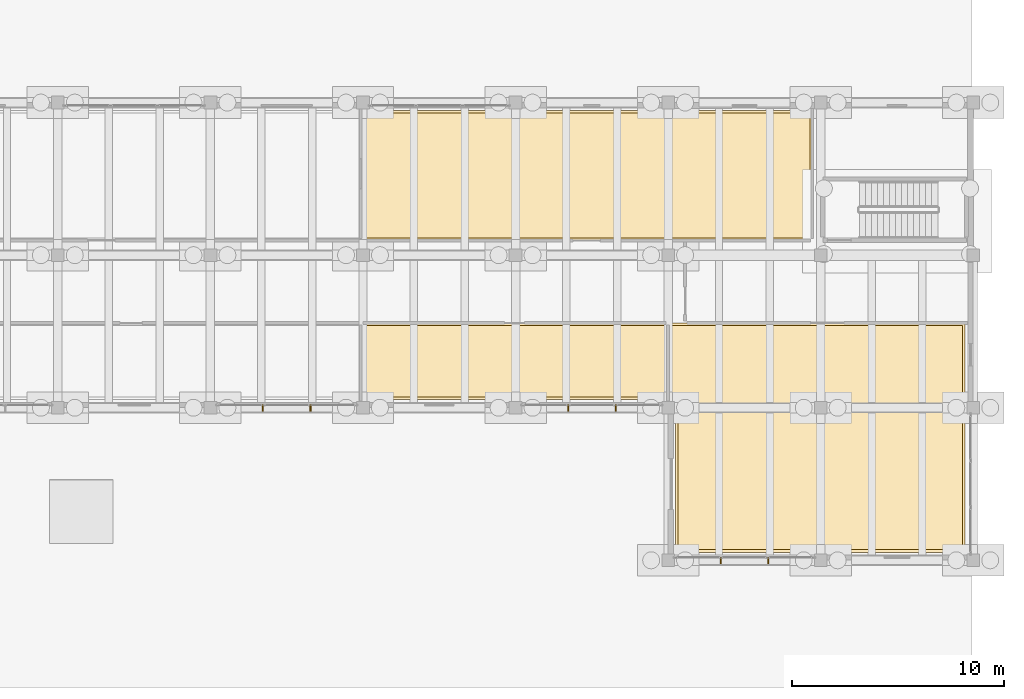
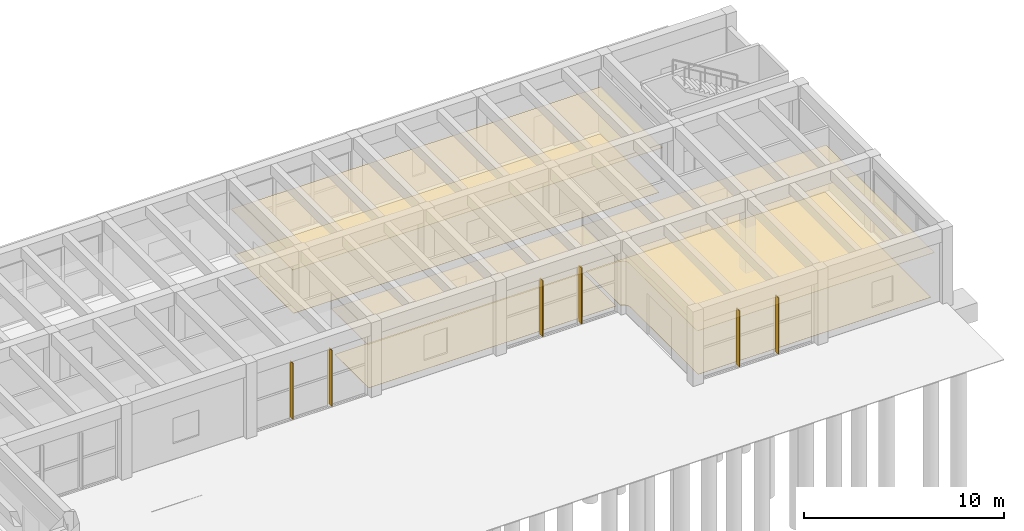
# One storey, part 154 of 155: 6 coverings, 6 shading devices.
"""IFC4 building model written with IfcOpenShell, lengths in metres."""

from ifc_helpers import new_model, si_unit, direction, frame, origin, origin_2d, place, context, subcontext, project, spatial, polyline, rectangle, outline, extrude, material, layer, layer_set, type_object, element, save


model = new_model("IFC4")

# Units and contexts
model_context = context("Model", 3, precision=1e-05, world=origin(), true_north=direction((0.0, 1.0)))
body_context = subcontext(model_context, "Body", "Model", "MODEL_VIEW")
ifc_project = project(units=[si_unit("LENGTHUNIT", "METRE"), si_unit("AREAUNIT", "SQUARE_METRE"), si_unit("VOLUMEUNIT", "CUBIC_METRE"), si_unit("PLANEANGLEUNIT", "RADIAN"), si_unit("MASSUNIT", "GRAM", prefix="KILO")], contexts=[model_context])

# Site, building, storey
site_placement = place(None, origin())
site = spatial("IfcSite", under=ifc_project, at=site_placement, CompositionType="ELEMENT")
building_placement = place(site_placement, origin())
building = spatial("IfcBuilding", under=site, at=building_placement, Name="Bramvelor Terrace Health Centre", CompositionType="ELEMENT")
storey_placement = place(building_placement, origin())
storey = spatial("IfcBuildingStorey", under=building, at=storey_placement, Name="L01", CompositionType="ELEMENT", Elevation=0.0)

# Coverings
ifc_material_1 = material(Name="Hygienic mineral-fibre acoustic ceiling", Category="gypsum")
ifc_layer_1 = layer(ifc_material_1, 0.02001953125)
ifc_layer_set_1 = layer_set([ifc_layer_1], Name="Hygienic mineral-fibre acoustic ceiling")
covering_type_1 = type_object("IfcCoveringType", Name="COV-CLG-ACT", PredefinedType="CEILING", material=ifc_layer_set_1)
covering_1_placement = place(storey_placement, frame((0.0, 0.0, 2.75)))
element("IfcCovering", 1, at=covering_1_placement, inside=storey, type_object=covering_type_1, Name="L01 Ambulatory Endoscopy Procedure Room 2 Acoustic Ceiling", PredefinedType="CEILING", context=body_context, shape_type="SweptSolid", body=[
    extrude(outline(polyline([(136.68994140625, 54.389892578125), (136.690185546875, 54.39208984375), (136.6904296875, 54.393798828125), (136.69091796875, 54.395751953125), (136.69140625, 54.397705078125), (136.6923828125, 54.3994140625), (136.693359375, 54.401123046875), (136.694580078125, 54.402587890625), (136.69580078125, 54.404052734375), (136.697265625, 54.405517578125), (136.698974609375, 54.406494140625), (136.70068359375, 54.40771484375), (136.702392578125, 54.408447265625), (136.7041015625, 54.4091796875), (136.7060546875, 54.40966796875), (136.7080078125, 54.409912109375), (136.7099609375, 54.409912109375), (151.18994140625, 54.409912109375), (151.19189453125, 54.409912109375), (151.19384765625, 54.40966796875), (151.19580078125, 54.4091796875), (151.19775390625, 54.408447265625), (151.199462890625, 54.40771484375), (151.201171875, 54.406494140625), (151.20263671875, 54.405517578125), (151.2041015625, 54.404052734375), (151.20556640625, 54.402587890625), (151.20654296875, 54.401123046875), (151.20751953125, 54.3994140625), (151.20849609375, 54.397705078125), (151.208984375, 54.395751953125), (151.209716796875, 54.393798828125), (151.2099609375, 54.39208984375), (151.2099609375, 54.389892578125), (151.2099609375, 50.800048828125), (151.2099609375, 50.798095703125), (151.209716796875, 50.796142578125), (151.208984375, 50.794189453125), (151.20849609375, 50.792236328125), (151.20751953125, 50.79052734375), (151.20654296875, 50.788818359375), (151.20556640625, 50.787353515625), (151.2041015625, 50.785888671875), (151.20263671875, 50.784423828125), (151.201171875, 50.783447265625), (151.199462890625, 50.782470703125), (151.19775390625, 50.781494140625), (151.19580078125, 50.781005859375), (151.19384765625, 50.780517578125), (151.19189453125, 50.780029296875), (151.18994140625, 50.780029296875), (136.7099609375, 50.780029296875), (136.7080078125, 50.780029296875), (136.7060546875, 50.780517578125), (136.7041015625, 50.781005859375), (136.702392578125, 50.781494140625), (136.70068359375, 50.782470703125), (136.698974609375, 50.783447265625), (136.697265625, 50.784423828125), (136.69580078125, 50.785888671875), (136.694580078125, 50.787353515625), (136.693359375, 50.788818359375), (136.6923828125, 50.79052734375), (136.69140625, 50.792236328125), (136.69091796875, 50.794189453125), (136.6904296875, 50.796142578125), (136.690185546875, 50.798095703125), (136.68994140625, 50.800048828125), (136.68994140625, 54.389892578125)])), origin(), (0.0, 0.0, 1.0), 0.02001953125),
])
covering_2_placement = place(storey_placement, frame((0.0, 0.0, 2.75)))
element("IfcCovering", 2, at=covering_2_placement, inside=storey, type_object=covering_type_1, Name="L01 Day Surgery Discharge Lounge Acoustic Ceiling", PredefinedType="CEILING", context=body_context, shape_type="SweptSolid", body=[
    extrude(outline(polyline([(165.199951171875, 54.409912109375), (165.201904296875, 54.409912109375), (165.203857421875, 54.40966796875), (165.205810546875, 54.4091796875), (165.207763671875, 54.408447265625), (165.20947265625, 54.40771484375), (165.211181640625, 54.406494140625), (165.212646484375, 54.405517578125), (165.214111328125, 54.404052734375), (165.215576171875, 54.402587890625), (165.216552734375, 54.401123046875), (165.217529296875, 54.3994140625), (165.218505859375, 54.397705078125), (165.218994140625, 54.395751953125), (165.219482421875, 54.393798828125), (165.219970703125, 54.39208984375), (165.219970703125, 54.389892578125), (165.219970703125, 43.60009765625), (165.219970703125, 43.597900390625), (165.219482421875, 43.59619140625), (165.218994140625, 43.59423828125), (165.218505859375, 43.59228515625), (165.217529296875, 43.590576171875), (165.216552734375, 43.5888671875), (165.215576171875, 43.58740234375), (165.214111328125, 43.5859375), (165.212646484375, 43.58447265625), (165.211181640625, 43.58349609375), (165.20947265625, 43.58251953125), (165.207763671875, 43.58154296875), (165.205810546875, 43.580810546875), (165.203857421875, 43.580322265625), (165.201904296875, 43.580078125), (165.199951171875, 43.580078125), (151.56005859375, 43.580078125), (151.55810546875, 43.580078125), (151.55615234375, 43.580322265625), (151.55419921875, 43.580810546875), (151.55224609375, 43.58154296875), (151.550537109375, 43.58251953125), (151.548828125, 43.58349609375), (151.54736328125, 43.58447265625), (151.5458984375, 43.5859375), (151.54443359375, 43.58740234375), (151.54345703125, 43.5888671875), (151.54248046875, 43.590576171875), (151.54150390625, 43.59228515625), (151.541015625, 43.59423828125), (151.540283203125, 43.59619140625), (151.5400390625, 43.597900390625), (151.5400390625, 43.60009765625), (151.5400390625, 50.39794921875), (151.513916015625, 50.530029296875), (151.440185546875, 50.64013671875), (151.330078125, 50.7138671875), (151.196044921875, 50.740478515625), (151.194091796875, 50.740966796875), (151.1923828125, 50.741455078125), (151.190673828125, 50.742431640625), (151.18896484375, 50.743408203125), (151.187255859375, 50.744384765625), (151.185791015625, 50.745849609375), (151.1845703125, 50.747314453125), (151.183349609375, 50.748779296875), (151.182373046875, 50.75048828125), (151.181396484375, 50.752197265625), (151.180908203125, 50.754150390625), (151.180419921875, 50.756103515625), (151.18017578125, 50.758056640625), (151.179931640625, 50.760009765625), (151.179931640625, 54.389892578125), (151.18017578125, 54.39208984375), (151.180419921875, 54.393798828125), (151.180908203125, 54.395751953125), (151.181396484375, 54.397705078125), (151.182373046875, 54.3994140625), (151.183349609375, 54.401123046875), (151.1845703125, 54.402587890625), (151.185791015625, 54.404052734375), (151.187255859375, 54.405517578125), (151.18896484375, 54.406494140625), (151.190673828125, 54.40771484375), (151.1923828125, 54.408447265625), (151.194091796875, 54.4091796875), (151.196044921875, 54.40966796875), (151.197998046875, 54.409912109375), (151.199951171875, 54.409912109375), (165.199951171875, 54.409912109375)])), origin(), (0.0, 0.0, 1.0), 0.02001953125),
])
covering_3_placement = place(storey_placement, frame((0.0, 0.0, 2.75)))
element("IfcCovering", 3, at=covering_3_placement, inside=storey, type_object=covering_type_1, Name="L01 Endoscope Sterile Reprocessing Room Acoustic Ceiling", PredefinedType="CEILING", context=body_context, shape_type="SweptSolid", body=[
    extrude(outline(polyline([(136.68994140625, 64.39990234375), (136.690185546875, 64.402099609375), (136.6904296875, 64.40380859375), (136.69091796875, 64.40576171875), (136.69140625, 64.40771484375), (136.6923828125, 64.409423828125), (136.693359375, 64.4111328125), (136.694580078125, 64.41259765625), (136.69580078125, 64.4140625), (136.697265625, 64.41552734375), (136.698974609375, 64.41650390625), (136.70068359375, 64.41748046875), (136.702392578125, 64.41845703125), (136.7041015625, 64.419189453125), (136.7060546875, 64.419677734375), (136.7080078125, 64.419921875), (136.7099609375, 64.419921875), (158.0, 64.419921875), (158.001953125, 64.419921875), (158.00390625, 64.419677734375), (158.005859375, 64.419189453125), (158.0078125, 64.41845703125), (158.009521484375, 64.41748046875), (158.010986328125, 64.41650390625), (158.0126953125, 64.41552734375), (158.01416015625, 64.4140625), (158.015380859375, 64.41259765625), (158.0166015625, 64.4111328125), (158.017578125, 64.409423828125), (158.0185546875, 64.40771484375), (158.01904296875, 64.40576171875), (158.01953125, 64.40380859375), (158.02001953125, 64.402099609375), (158.02001953125, 64.39990234375), (158.02001953125, 58.302001953125), (158.02001953125, 58.300048828125), (158.01953125, 58.298095703125), (158.01904296875, 58.296142578125), (158.0185546875, 58.294189453125), (158.017578125, 58.29248046875), (158.0166015625, 58.291015625), (158.015380859375, 58.289306640625), (158.01416015625, 58.287841796875), (158.0126953125, 58.28662109375), (158.010986328125, 58.285400390625), (158.009521484375, 58.284423828125), (158.0078125, 58.283447265625), (158.005859375, 58.282958984375), (158.00390625, 58.282470703125), (158.001953125, 58.281982421875), (158.0, 58.281982421875), (136.7099609375, 58.280517578125), (136.7080078125, 58.280517578125), (136.7060546875, 58.281005859375), (136.7041015625, 58.281494140625), (136.702392578125, 58.281982421875), (136.70068359375, 58.282958984375), (136.698974609375, 58.283935546875), (136.697265625, 58.284912109375), (136.69580078125, 58.286376953125), (136.694580078125, 58.287841796875), (136.693359375, 58.289306640625), (136.6923828125, 58.291015625), (136.69140625, 58.292724609375), (136.69091796875, 58.294677734375), (136.6904296875, 58.296630859375), (136.690185546875, 58.298583984375), (136.68994140625, 58.300537109375), (136.68994140625, 64.39990234375)])), origin(), (0.0, 0.0, 1.0), 0.02001953125),
])
ifc_material_2 = material(Name="Seamless antimicrobial clinical vinyl", Category="polymer")
ifc_layer_2 = layer(ifc_material_2, 0.008056640625)
ifc_layer_set_2 = layer_set([ifc_layer_2], Name="Seamless antimicrobial clinical vinyl")
covering_type_2 = type_object("IfcCoveringType", Name="COV-FLR-VNL", PredefinedType="FLOORING", material=ifc_layer_set_2)
covering_4_placement = place(storey_placement, origin())
element("IfcCovering", 4, at=covering_4_placement, inside=storey, type_object=covering_type_2, Name="L01 Ambulatory Endoscopy Procedure Room 2 Clinical Vinyl Flooring", PredefinedType="FLOORING", context=body_context, shape_type="SweptSolid", body=[
    extrude(outline(polyline([(136.81005859375, 54.2900390625), (151.090087890625, 54.2900390625), (151.090087890625, 50.89990234375), (136.81005859375, 50.89990234375), (136.81005859375, 54.2900390625)])), origin(), (0.0, 0.0, 1.0), 0.008056640625),
])
covering_5_placement = place(storey_placement, origin())
element("IfcCovering", 5, at=covering_5_placement, inside=storey, type_object=covering_type_2, Name="L01 Day Surgery Discharge Lounge Clinical Vinyl Flooring", PredefinedType="FLOORING", context=body_context, shape_type="SweptSolid", body=[
    extrude(outline(polyline([(165.10009765625, 54.2900390625), (165.10009765625, 43.699951171875), (151.659912109375, 43.699951171875), (151.659912109375, 50.39990234375), (151.659423828125, 50.409912109375), (151.658203125, 50.41943359375), (151.630615234375, 50.557373046875), (151.62841796875, 50.56689453125), (151.625, 50.575927734375), (151.620849609375, 50.5849609375), (151.61572265625, 50.59326171875), (151.53759765625, 50.710205078125), (151.531982421875, 50.718017578125), (151.525390625, 50.725341796875), (151.51806640625, 50.73193359375), (151.510009765625, 50.73779296875), (151.393310546875, 50.815673828125), (151.385009765625, 50.82080078125), (151.3759765625, 50.824951171875), (151.36669921875, 50.828369140625), (151.357421875, 50.830810546875), (151.300048828125, 50.842041015625), (151.300048828125, 54.2900390625), (165.10009765625, 54.2900390625)])), origin(), (0.0, 0.0, 1.0), 0.008056640625),
])
covering_6_placement = place(storey_placement, origin())
element("IfcCovering", 6, at=covering_6_placement, inside=storey, type_object=covering_type_2, Name="L01 Endoscope Sterile Reprocessing Room Clinical Vinyl Flooring", PredefinedType="FLOORING", context=body_context, shape_type="SweptSolid", body=[
    extrude(outline(polyline([(136.81005859375, 64.300048828125), (157.89990234375, 64.300048828125), (157.89990234375, 58.402099609375), (136.81005859375, 58.400390625), (136.81005859375, 64.300048828125)])), origin(), (0.0, 0.0, 1.0), 0.008056640625),
])

# Shading devices
ifc_material_3 = material(Name="Anodized aluminium 6063-T6", Category="aluminium")
ifc_layer_3 = layer(ifc_material_3, 0.050048828125)
ifc_layer_set_3 = layer_set([ifc_layer_3], Name="Anodized aluminium 6063-T6")
shading_device_type = type_object("IfcShadingDeviceType", Name="SHD-FIN-300", PredefinedType="JALOUSIE", material=ifc_layer_set_3)
for number, where, z_axis, x_axis, name in (
    (7, (155.923583984375, 43.179931640625, 0.150146484375), (0.0, 0.0, 1.0), (1.0, 0.0, 0.0), "L01 Solar Shading Louvre Fin 29"),
    (8, (153.67626953125, 43.179931640625, 0.150146484375), (0.0, 0.0, 1.0), (1.0, 0.0, 0.0), "L01 Solar Shading Louvre Fin 30"),
    (9, (148.7236328125, 50.3798828125, 0.150146484375), (0.0, 0.0, 1.0), (1.0, 0.0, 0.0), "L01 Solar Shading Louvre Fin 31"),
    (10, (146.476318359375, 50.3798828125, 0.150146484375), (0.0, 0.0, 1.0), (1.0, 0.0, 0.0), "L01 Solar Shading Louvre Fin 32"),
    (11, (134.32373046875, 50.3798828125, 0.150146484375), (0.0, 0.0, 1.0), (1.0, 0.0, 0.0), "L01 Solar Shading Louvre Fin 33"),
    (12, (132.076416015625, 50.3798828125, 0.150146484375), (0.0, 0.0, 1.0), (1.0, 0.0, 0.0), "L01 Solar Shading Louvre Fin 34"),
):
    element("IfcShadingDevice", number, at=place(storey_placement, frame(where, z_axis=z_axis, x_axis=x_axis)), inside=storey, type_object=shading_device_type, Name=name, PredefinedType="JALOUSIE", context=body_context, shape_type="SweptSolid", body=[
        extrude(rectangle(XDim=0.050048828125, YDim=0.300048828125, at=origin_2d()), origin(), (0.0, 0.0, 1.0), 3.419921875),
    ])

save(model, "model.ifc")
